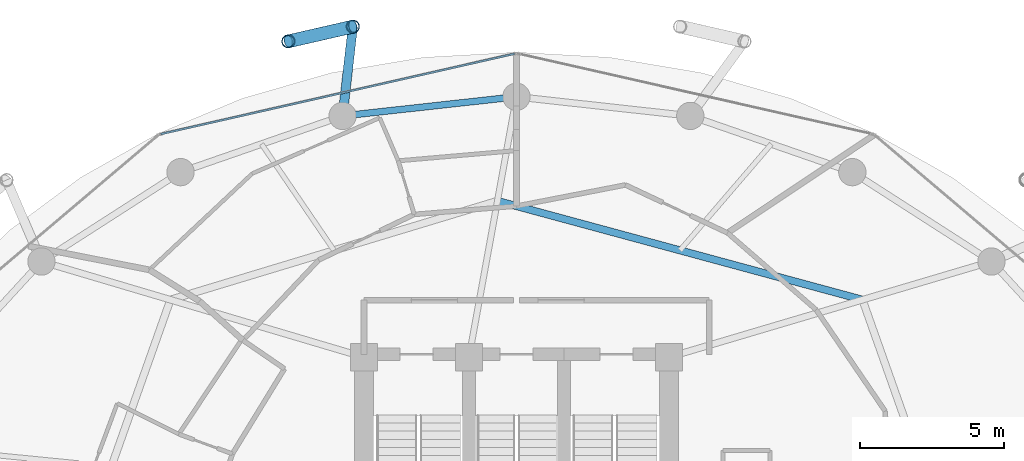
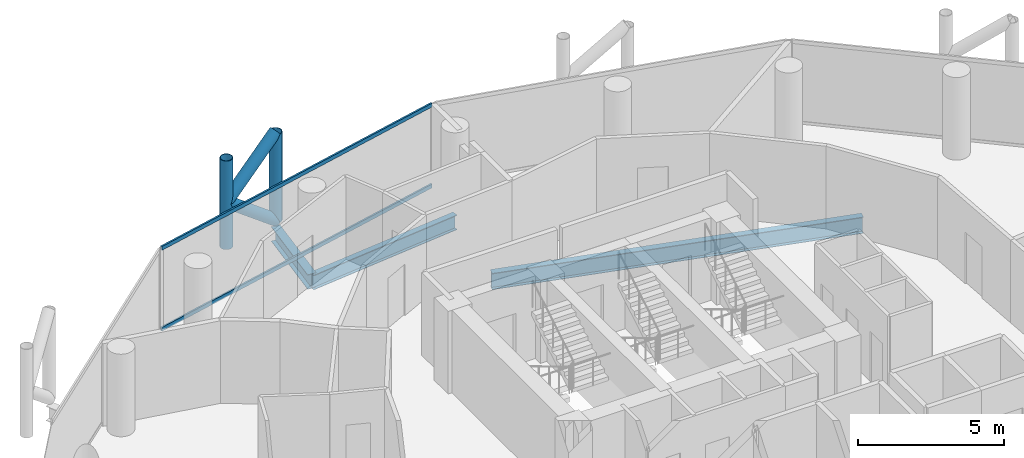
# One storey, part 16 of 26: 6 members, 3 beams, 1 element without a shape of its own.
"""IFC4 building model written with IfcOpenShell, lengths in metres."""

import ifcopenshell
import ifcopenshell.guid

model = None  # the IFC model being written
_history = None  # IfcOwnerHistory: only IFC2X3 demands one
_inside = {}  # id of a spatial element -> (the spatial element, [elements in it])
_under = {}  # id of a project, library or spatial element -> (it, [spatial elements below it])
_declared = {}  # id of a project -> (the project, [libraries it declares])
_typed = {}  # id of a type object -> (the type object, [elements of that type])
_made_of = {}  # id of a material, layer set ... -> (it, [elements and type objects made of it])


def new_model(schema):
    """Start an empty IFC model of exactly this schema.

    Asked for "IFC4X3", IfcOpenShell would pick the latest addendum, in which some entities
    have other attributes; the version numbers below select the first issue.
    IFC2X3 requires an IfcOwnerHistory on every rooted entity: one is made here for all.
    """
    global model, _history
    if schema == "IFC4X3":
        model = ifcopenshell.file(schema_version=(4, 3, 0, 0))
    else:
        model = ifcopenshell.file(schema=schema)
    _inside.clear()
    _under.clear()
    _declared.clear()
    _typed.clear()
    _made_of.clear()
    _history = None
    if model.schema == "IFC2X3":
        org = make("IfcOrganization", Name="unknown")
        user = make(
            "IfcPersonAndOrganization",
            ThePerson=make("IfcPerson", FamilyName="unknown"),
            TheOrganization=org,
        )
        app = make(
            "IfcApplication",
            ApplicationDeveloper=org,
            Version="unknown",
            ApplicationFullName="unknown",
            ApplicationIdentifier="unknown",
        )
        _history = make(
            "IfcOwnerHistory",
            OwningUser=user,
            OwningApplication=app,
            ChangeAction="ADDED",
            CreationDate=0,
        )
    return model


def make(cls, **values):
    """One entity of the class cls with the attributes given. An attribute that is None is left unset."""
    return model.create_entity(
        cls, **{name: value for name, value in values.items() if value is not None}
    )


def rooted(cls, **values):
    """An entity with a GlobalId (a new one), such as an element, a storey or a relation."""
    return make(cls, GlobalId=ifcopenshell.guid.new(), OwnerHistory=_history, **values)


def si_unit(unit_type, name, prefix=None):
    """IfcSIUnit, for example si_unit("LENGTHUNIT", "METRE", prefix="MILLI")."""
    return make("IfcSIUnit", UnitType=unit_type, Prefix=prefix, Name=name)


def assignment(units):
    """IfcUnitAssignment: the units of a project."""
    return None if units is None else make("IfcUnitAssignment", Units=units)


def point(xyz):
    """IfcCartesianPoint."""
    return None if xyz is None else make("IfcCartesianPoint", Coordinates=xyz)


def direction(xyz):
    """IfcDirection."""
    return None if xyz is None else make("IfcDirection", DirectionRatios=xyz)


def frame(location, z_axis=None, x_axis=None):
    """IfcAxis2Placement3D, a coordinate frame: its origin and axes. An axis left out is left unset."""
    return make(
        "IfcAxis2Placement3D",
        Location=point(location),
        Axis=direction(z_axis),
        RefDirection=direction(x_axis),
    )


def frame_2d(location, x_axis=None):
    """IfcAxis2Placement2D, a coordinate frame in the plane: its origin and x axis."""
    return make(
        "IfcAxis2Placement2D", Location=point(location), RefDirection=direction(x_axis)
    )


def origin():
    """The frame at (0, 0, 0) with its axes left unset."""
    return frame((0.0, 0.0, 0.0))


def origin_2d():
    """The frame at (0, 0) in the plane with its x axis left unset."""
    return frame_2d((0.0, 0.0))


def place(relative_to, where):
    """IfcLocalPlacement: puts the frame where relative to a parent placement (None: the world)."""
    return make(
        "IfcLocalPlacement", PlacementRelTo=relative_to, RelativePlacement=where
    )


def context(
    kind, dimensions, precision=None, world=None, true_north=None, identifier=None
):
    """IfcGeometricRepresentationContext, for example the 3D "Model" context."""
    return make(
        "IfcGeometricRepresentationContext",
        ContextIdentifier=identifier,
        ContextType=kind,
        CoordinateSpaceDimension=dimensions,
        Precision=precision,
        WorldCoordinateSystem=world,
        TrueNorth=true_north,
    )


def subcontext(parent, identifier, kind, view, scale=None):
    """IfcGeometricRepresentationSubContext, for example "Body" below "Model"."""
    return make(
        "IfcGeometricRepresentationSubContext",
        ContextIdentifier=identifier,
        ContextType=kind,
        ParentContext=parent,
        TargetScale=scale,
        TargetView=view,
    )


def project(units=None, contexts=None):
    """IfcProject with its units and contexts."""
    return rooted(
        "IfcProject",
        Name="project",
        RepresentationContexts=contexts,
        UnitsInContext=assignment(units),
    )


def spatial(cls, under=None, at=None, **own):
    """A site, building, storey or space (cls), placed at a placement, below another one or the project."""
    s = rooted(cls, ObjectPlacement=at, **own)
    if under is not None:
        _under.setdefault(under.id(), (under, []))[1].append(s)
    return s


def profile(cls, at=None, kind="AREA", **sizes):
    """A parametric profile (cls). Its sizes go by their IFC names, for example OverallWidth=200.0."""
    return make(cls, ProfileType=kind, Position=at, **sizes)


def hollow_rectangle(**sizes):
    """IfcRectangleHollowProfileDef."""
    return profile("IfcRectangleHollowProfileDef", **sizes)


def hollow_circle(**sizes):
    """IfcCircleHollowProfileDef."""
    return profile("IfcCircleHollowProfileDef", **sizes)


def i_section(**sizes):
    """IfcIShapeProfileDef."""
    return profile("IfcIShapeProfileDef", **sizes)


def extrude(swept, where, along, depth):
    """IfcExtrudedAreaSolid: the profile swept, set in the frame where, extruded along a direction by depth."""
    return make(
        "IfcExtrudedAreaSolid",
        SweptArea=swept,
        Position=where,
        ExtrudedDirection=direction(along),
        Depth=depth,
    )


def shape(context_of_items, identifier, shape_type, items):
    """IfcShapeRepresentation: the items that make up one representation, for example the "Body"."""
    return make(
        "IfcShapeRepresentation",
        ContextOfItems=context_of_items,
        RepresentationIdentifier=identifier,
        RepresentationType=shape_type,
        Items=items,
    )


def material(Name=None, Category=None):
    """IfcMaterial."""
    return make("IfcMaterial", Name=Name, Category=Category)


def layer(
    of_material, thickness, ventilated=None, Name=None, Category=None, Priority=None
):
    """IfcMaterialLayer: one layer of a wall or slab, of a material (None: an air gap)."""
    return make(
        "IfcMaterialLayer",
        Material=of_material,
        LayerThickness=thickness,
        IsVentilated=ventilated,
        Name=Name,
        Category=Category,
        Priority=Priority,
    )


def layer_set(layers, Name=None):
    """IfcMaterialLayerSet."""
    return make("IfcMaterialLayerSet", MaterialLayers=layers, LayerSetName=Name)


def material_profile(
    of_material, cross_section, Name=None, Category=None, Priority=None
):
    """IfcMaterialProfile: a cross section and its material."""
    return make(
        "IfcMaterialProfile",
        Name=Name,
        Material=of_material,
        Profile=cross_section,
        Priority=Priority,
        Category=Category,
    )


def profile_set(profiles, Name=None, composite=None):
    """IfcMaterialProfileSet."""
    return make(
        "IfcMaterialProfileSet",
        Name=Name,
        MaterialProfiles=profiles,
        CompositeProfile=composite,
    )


def made_of(thing, what):
    """Note that an element or type object is made of a material, layer set ...; save() writes the relation."""
    if what is not None:
        _made_of.setdefault(what.id(), (what, []))[1].append(thing)
    return thing


def type_object(cls, material=None, **own):
    """A type object (cls), such as IfcWallType, which elements share."""
    return made_of(rooted(cls, **own), material)


def element(
    cls,
    number,
    at=None,
    inside=None,
    cuts=None,
    type_object=None,
    material=None,
    context=None,
    identifier="Body",
    shape_type=None,
    held_by="IfcProductDefinitionShape",
    body=None,
    shapes=None,
    **own,
):
    """One element of the class cls, such as IfcWall. Its Tag is "e" and its number.

    at: its placement. inside: the storey or other place that contains it. cuts: it is an
    opening in that element (IfcRelVoidsElement). A single representation is given by context,
    identifier, shape_type and body (its items); several are given by shapes. held_by: the class
    of the entity that holds the representations. save() writes the other relations.
    """
    e = rooted(cls, Tag="e%d" % number, ObjectPlacement=at, **own)
    if body is not None:
        shapes = [shape(context, identifier, shape_type, body)]
    if shapes is not None:
        e.Representation = make(held_by, Representations=shapes)
    if inside is not None:
        _inside.setdefault(inside.id(), (inside, []))[1].append(e)
    if cuts is not None:
        rooted(
            "IfcRelVoidsElement", RelatingBuildingElement=cuts, RelatedOpeningElement=e
        )
    if type_object is not None:
        _typed.setdefault(type_object.id(), (type_object, []))[1].append(e)
    return made_of(e, material)


def aggregate(whole, parts):
    """IfcRelAggregates: a whole, such as a stair, and the parts it consists of."""
    return rooted("IfcRelAggregates", RelatingObject=whole, RelatedObjects=parts)


def save(model, path):
    """Write the relations noted so far, then the file.

    IfcRelAggregates (storeys below a building ...), IfcRelContainedInSpatialStructure (elements
    in a storey), IfcRelDefinesByType, IfcRelAssociatesMaterial and IfcRelDeclares: one each for
    every whole, place, type object, material and project.
    """
    for whole, parts in _under.values():
        aggregate(whole, parts)
    for where, things in _inside.values():
        rooted(
            "IfcRelContainedInSpatialStructure",
            RelatedElements=things,
            RelatingStructure=where,
        )
    for kind, things in _typed.values():
        rooted("IfcRelDefinesByType", RelatedObjects=things, RelatingType=kind)
    for what, things in _made_of.values():
        rooted("IfcRelAssociatesMaterial", RelatedObjects=things, RelatingMaterial=what)
    for by, libraries in _declared.values():
        rooted("IfcRelDeclares", RelatingContext=by, RelatedDefinitions=libraries)
    model.write(path)


model = new_model("IFC4")

# Units and contexts
model_context = context("Model", 3, precision=1e-05, world=origin(), true_north=direction((0.0, 1.0)))
body_context = subcontext(model_context, "Body", "Model", "MODEL_VIEW")
ifc_project = project(units=[si_unit("LENGTHUNIT", "METRE"), si_unit("AREAUNIT", "SQUARE_METRE"), si_unit("VOLUMEUNIT", "CUBIC_METRE"), si_unit("PLANEANGLEUNIT", "RADIAN"), si_unit("MASSUNIT", "GRAM", prefix="KILO")], contexts=[model_context])

# Site, building, storey
site_placement = place(None, origin())
site = spatial("IfcSite", under=ifc_project, at=site_placement, CompositionType="ELEMENT")
building_placement = place(site_placement, origin())
building = spatial("IfcBuilding", under=site, at=building_placement, Name="Nuhasar Tower", CompositionType="ELEMENT")
storey_placement = place(building_placement, frame((0.0, 0.0, 129.35009765625)))
storey = spatial("IfcBuildingStorey", under=building, at=storey_placement, Name="L30", CompositionType="ELEMENT", Elevation=129.35009765625)

# Beams
ifc_material_1 = material(Name="Steel S355", Category="steel")
ifc_material_profile_1 = material_profile(ifc_material_1, i_section(OverallWidth=0.25390625, OverallDepth=0.68408203125, WebThickness=0.012451171875, FlangeThickness=0.018798828125, at=origin_2d()), Name="W27X94")
ifc_profile_set_1 = profile_set([ifc_material_profile_1], Name="Steel S355")
beam_type_1 = type_object("IfcBeamType", Name="BM-INRING-W27X94", PredefinedType="BEAM", material=ifc_profile_set_1)
beam_1_placement = place(storey_placement, frame((51.027099609375, 39.2939453125, -0.592041015625), z_axis=(-0.96522695776, 0.261413312618, 0.0), x_axis=(-0.261413312618, -0.96522695776, 0.0)))
element("IfcBeam", 1, at=beam_1_placement, inside=storey, type_object=beam_type_1, Name="L30 Inner Header Beam 05", PredefinedType="BEAM", context=body_context, shape_type="SweptSolid", body=[
    extrude(i_section(OverallWidth=0.25390625, OverallDepth=0.68408203125, WebThickness=0.012451171875, FlangeThickness=0.018798828125, at=origin_2d()), origin(), (0.0, 0.0, 1.0), 13.14404296875),
])
ifc_material_profile_2 = material_profile(ifc_material_1, i_section(OverallWidth=0.22998046875, OverallDepth=0.616943359375, WebThickness=0.01318359375, FlangeThickness=0.022216796875, at=origin_2d()), Name="W24X94")
ifc_profile_set_2 = profile_set([ifc_material_profile_2], Name="Steel S355")
beam_type_2 = type_object("IfcBeamType", Name="BM-RING-W24X94", PredefinedType="SPANDREL", material=ifc_profile_set_2)
beam_2_placement = place(storey_placement, frame((39.0, 46.35009765625, -0.55908203125), z_axis=(-0.993981289157, -0.109549974015, 0.0), x_axis=(0.109549974015, -0.993981289157, 0.0)))
element("IfcBeam", 2, at=beam_2_placement, inside=storey, type_object=beam_type_2, Name="L30 Perimeter Ring Spandrel 07", PredefinedType="SPANDREL", context=body_context, shape_type="SweptSolid", body=[
    extrude(i_section(OverallWidth=0.22998046875, OverallDepth=0.616943359375, WebThickness=0.01318359375, FlangeThickness=0.022216796875, at=origin_2d()), origin(), (0.0, 0.0, 1.0), 6.07958984375),
])
ifc_material_profile_3 = material_profile(ifc_material_1, i_section(OverallWidth=0.323974609375, OverallDepth=0.611083984375, WebThickness=0.0126953125, FlangeThickness=0.01904296875, at=origin_2d()), Name="W24X104")
ifc_profile_set_3 = profile_set([ifc_material_profile_3], Name="Steel S355")
beam_type_3 = type_object("IfcBeamType", Name="BM-TIE-W24X104", PredefinedType="BEAM", material=ifc_profile_set_3)
beam_3_placement = place(storey_placement, frame((32.95703125, 45.68408203125, -0.55615234375), z_axis=(0.114167639647, 0.993461499031, 0.0), x_axis=(-0.993461499031, 0.114167639647, 0.0)))
element("IfcBeam", 3, at=beam_3_placement, inside=storey, type_object=beam_type_3, Name="L30 Exoskeleton Node Tie Beam 04", PredefinedType="BEAM", context=body_context, shape_type="SweptSolid", body=[
    extrude(i_section(OverallWidth=0.323974609375, OverallDepth=0.611083984375, WebThickness=0.0126953125, FlangeThickness=0.01904296875, at=origin_2d()), origin(), (0.0, 0.0, 1.0), 3.12646484375),
])

# Curtain wall, members
ifc_material_2 = material(Name="Aluminium 6063-T6", Category="aluminium")
ifc_layer = layer(ifc_material_2, 0.199951171875)
ifc_layer_set = layer_set([ifc_layer], Name="Aluminium 6063-T6")
curtain_wall_type = type_object("IfcCurtainWallType", Name="CW-Z2-HTL", PredefinedType="NOTDEFINED", material=ifc_layer_set)
curtain_wall_placement = place(storey_placement, origin())
curtain_wall = element("IfcCurtainWall", 4, at=curtain_wall_placement, inside=storey, type_object=curtain_wall_type, Name="L30 Unitised Curtain Wall 04", PredefinedType="NOTDEFINED")
ifc_material_profile_4 = material_profile(ifc_material_2, hollow_rectangle(XDim=0.070068359375, YDim=0.159912109375, WallThickness=0.00439453125, at=origin_2d()), Name="CWT-3")
ifc_profile_set_4 = profile_set([ifc_material_profile_4], Name="Aluminium 6063-T6")
member_type_1 = type_object("IfcMemberType", Name="CW-TRN-S3", PredefinedType="USERDEFINED", material=ifc_profile_set_4)
member_1_placement = place(storey_placement, frame((38.931640625, 47.844482421875, 0.034912109375), z_axis=(-0.975183434528, -0.221398439519, 0.0), x_axis=(0.221398439519, -0.975183434528, 0.0)))
member_1 = element("IfcMember", 5, at=member_1_placement, type_object=member_type_1, Name="CW-Z2 transom 1.1", ObjectType="TRANSOM", PredefinedType="USERDEFINED", context=body_context, shape_type="SweptSolid", body=[
    extrude(hollow_rectangle(XDim=0.070068359375, YDim=0.159912109375, WallThickness=0.00439453125, at=origin_2d()), origin(), (0.0, 0.0, 1.0), 12.606201171875),
])
member_2_placement = place(storey_placement, frame((38.931640625, 47.844482421875, 3.414794921875), z_axis=(-0.975183434528, -0.221398439519, 0.0), x_axis=(0.221398439519, -0.975183434528, 0.0)))
member_2 = element("IfcMember", 6, at=member_2_placement, type_object=member_type_1, Name="CW-Z2 transom 1.2", ObjectType="TRANSOM", PredefinedType="USERDEFINED", context=body_context, shape_type="SweptSolid", body=[
    extrude(hollow_rectangle(XDim=0.070068359375, YDim=0.159912109375, WallThickness=0.00439453125, at=origin_2d()), origin(), (0.0, 0.0, 1.0), 12.606201171875),
])
aggregate(curtain_wall, [member_1, member_2])

# Members
ifc_material_3 = material(Name="Steel S460", Category="steel")
ifc_material_profile_5 = material_profile(ifc_material_3, hollow_circle(Radius=0.228515625, WallThickness=0.022216796875, at=origin_2d()), Name="HSS457X22.2")
ifc_profile_set_5 = profile_set([ifc_material_profile_5], Name="Steel S460")
member_type_2 = type_object("IfcMemberType", Name="EXO-BRONZE-457", PredefinedType="BRACE", material=ifc_profile_set_5)
for number, where, z_axis, x_axis, name in (
    (7, (33.31396484375, 48.7900390625, 0.0), (0.0, 0.0, 1.0), (1.0, 0.0, 0.0), "L30 Exoskeleton Chord Column EC-04A"),
    (8, (31.072021484375, 48.27587890625, 0.0), (0.0, 0.0, 1.0), (1.0, 0.0, 0.0), "L30 Exoskeleton Chord Column EC-04B"),
):
    element("IfcMember", number, at=place(storey_placement, frame(where, z_axis=z_axis, x_axis=x_axis)), inside=storey, type_object=member_type_2, Name=name, PredefinedType="BRACE", context=body_context, shape_type="SweptSolid", body=[
        extrude(hollow_circle(Radius=0.228515625, WallThickness=0.022216796875, at=origin_2d()), origin(), (0.0, 0.0, 1.0), 3.699951171875),
    ])
member_3_placement = place(storey_placement, frame((33.31396484375, 48.7900390625, 0.0), z_axis=(-0.759538919781, -0.174190239035, 0.626704388019), x_axis=(0.223533724104, -0.974696195842, 0.0)))
element("IfcMember", 9, at=member_3_placement, inside=storey, type_object=member_type_2, Name="L30 Bronze Diagrid Brace W1-04", PredefinedType="BRACE", context=body_context, shape_type="SweptSolid", body=[
    extrude(hollow_circle(Radius=0.228515625, WallThickness=0.022216796875, at=origin_2d()), origin(), (0.0, 0.0, 1.0), 2.95166015625),
])
member_4_placement = place(storey_placement, frame((31.072021484375, 48.27587890625, 1.849853515625), z_axis=(0.759499549084, 0.174181209885, 0.626754609927), x_axis=(-0.223533724104, 0.974696195842, 0.0)))
element("IfcMember", 10, at=member_4_placement, inside=storey, type_object=member_type_2, Name="L30 Bronze Diagrid Brace W2-04", PredefinedType="BRACE", context=body_context, shape_type="SweptSolid", body=[
    extrude(hollow_circle(Radius=0.228515625, WallThickness=0.022216796875, at=origin_2d()), origin(), (0.0, 0.0, 1.0), 2.951904296875),
])

save(model, "model.ifc")
